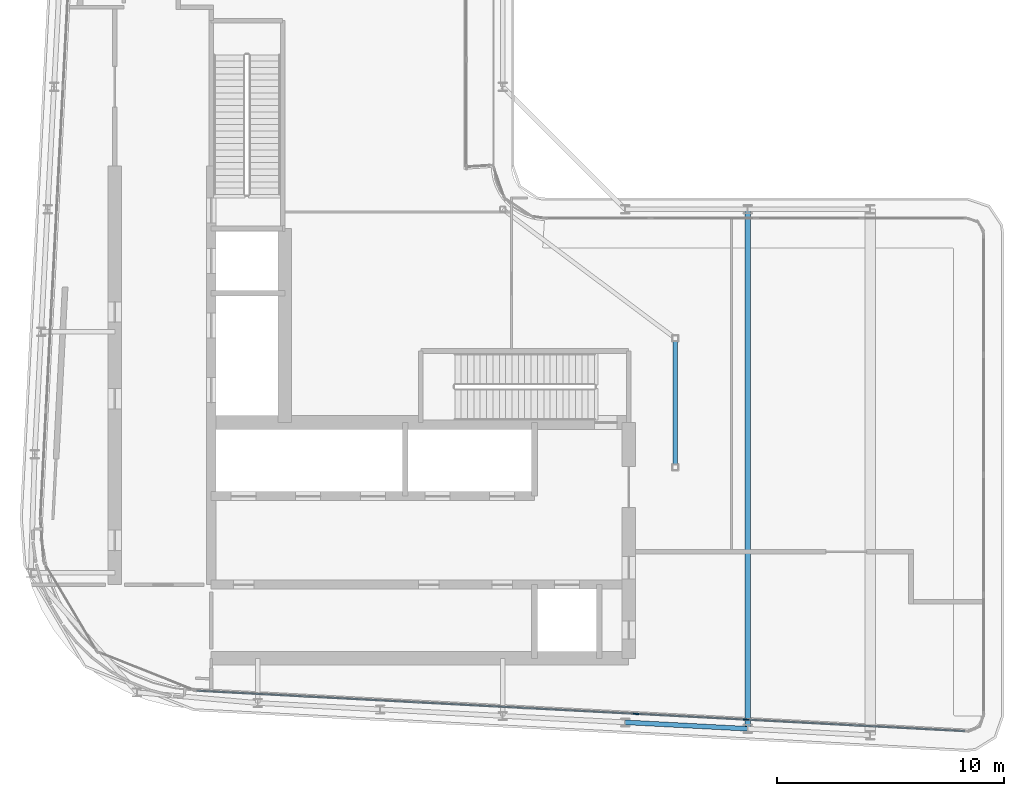
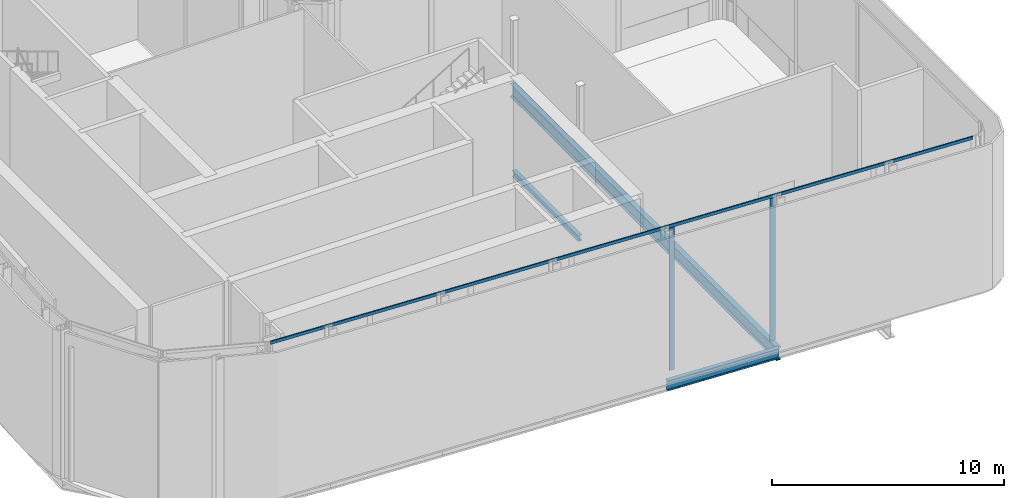
# One storey, part 6 of 28: 3 beams, 3 members, 1 element without a shape of its own.
"""IFC4 building model written with IfcOpenShell, lengths in metres."""

from ifc_helpers import new_model, si_unit, direction, frame, origin, origin_2d, place, context, subcontext, project, spatial, rectangle, i_section, extrude, material, layer, layer_set, material_profile, profile_set, type_object, element, aggregate, save


model = new_model("IFC4")

# Units and contexts
model_context = context("Model", 3, precision=1e-05, world=origin(), true_north=direction((0.0, 1.0)))
body_context = subcontext(model_context, "Body", "Model", "MODEL_VIEW")
ifc_project = project(units=[si_unit("LENGTHUNIT", "METRE"), si_unit("AREAUNIT", "SQUARE_METRE"), si_unit("VOLUMEUNIT", "CUBIC_METRE"), si_unit("PLANEANGLEUNIT", "RADIAN"), si_unit("MASSUNIT", "GRAM", prefix="KILO")], contexts=[model_context])

# Site, building, storey
site_placement = place(None, origin())
site = spatial("IfcSite", under=ifc_project, at=site_placement, CompositionType="ELEMENT")
building_placement = place(site_placement, origin())
building = spatial("IfcBuilding", under=site, at=building_placement, Name="Kheshtan School and Residences Tower", CompositionType="ELEMENT")
storey_placement = place(building_placement, frame((0.0, 0.0, 325.39990234375)))
storey = spatial("IfcBuildingStorey", under=building, at=storey_placement, Name="L77", CompositionType="ELEMENT", Elevation=325.39990234375)

# Beams
ifc_material_1 = material(Name="Steel ASTM A992 Grade 50", Category="steel")
ifc_material_profile_1 = material_profile(ifc_material_1, i_section(OverallWidth=0.202880859375, OverallDepth=0.302978515625, WebThickness=0.007568359375, FlangeThickness=0.01318359375, FilletRadius=0.009033203125, at=origin_2d()), Name="W310x60")
ifc_profile_set_1 = profile_set([ifc_material_profile_1], Name="Steel ASTM A992 Grade 50")
beam_type_1 = type_object("IfcBeamType", Name="Beam FB1 W310x60 ASTM A992 Grade 50", PredefinedType="BEAM", material=ifc_profile_set_1)
beam_1_placement = place(storey_placement, frame((55.199951171875, 34.23193359375, -0.301513671875), z_axis=(0.0, 1.0, 0.0), x_axis=(-1.0, 0.0, 0.0)))
element("IfcBeam", 1, at=beam_1_placement, inside=storey, type_object=beam_type_1, Name="Floor beam IC", PredefinedType="BEAM", context=body_context, shape_type="SweptSolid", body=[
    extrude(i_section(OverallWidth=0.202880859375, OverallDepth=0.302978515625, WebThickness=0.007568359375, FlangeThickness=0.01318359375, FilletRadius=0.009033203125, at=origin_2d()), origin(), (0.0, 0.0, 1.0), 5.68408203125),
])
ifc_material_profile_2 = material_profile(ifc_material_1, i_section(OverallWidth=0.2529296875, OverallDepth=0.677978515625, WebThickness=0.01171875, FlangeThickness=0.016357421875, FilletRadius=0.0146484375, at=origin_2d()), Name="W690x125")
ifc_profile_set_2 = profile_set([ifc_material_profile_2], Name="Steel ASTM A992 Grade 50")
beam_type_2 = type_object("IfcBeamType", Name="Beam FB6 W690x125 ASTM A992 Grade 50", PredefinedType="BEAM", material=ifc_profile_set_2)
beam_2_placement = place(storey_placement, frame((58.39990234375, 22.695068359375, -0.489013671875), z_axis=(0.0, 1.0, 0.0), x_axis=(-1.0, 0.0, 0.0)))
element("IfcBeam", 2, at=beam_2_placement, inside=storey, type_object=beam_type_2, Name="Floor beam C018", PredefinedType="BEAM", context=body_context, shape_type="SweptSolid", body=[
    extrude(i_section(OverallWidth=0.2529296875, OverallDepth=0.677978515625, WebThickness=0.01171875, FlangeThickness=0.016357421875, FilletRadius=0.0146484375, at=origin_2d()), origin(), (0.0, 0.0, 1.0), 22.905029296875),
])
ifc_material_profile_3 = material_profile(ifc_material_1, i_section(OverallWidth=0.208984375, OverallDepth=0.532958984375, WebThickness=0.01025390625, FlangeThickness=0.015625, FilletRadius=0.013916015625, at=origin_2d()), Name="W530x92")
ifc_profile_set_3 = profile_set([ifc_material_profile_3], Name="Steel ASTM A992 Grade 50")
beam_type_3 = type_object("IfcBeamType", Name="Beam SP3 W530x92 ASTM A992 Grade 50", PredefinedType="BEAM", material=ifc_profile_set_3)
beam_3_placement = place(storey_placement, frame((58.39990234375, 22.695068359375, -0.41650390625), z_axis=(-0.998610961136, 0.052689166816, 0.0), x_axis=(-0.052689166816, -0.998610961136, 0.0)))
element("IfcBeam", 3, at=beam_3_placement, inside=storey, type_object=beam_type_3, Name="Spandrel beam C018-C019", PredefinedType="BEAM", context=body_context, shape_type="SweptSolid", body=[
    extrude(i_section(OverallWidth=0.208984375, OverallDepth=0.532958984375, WebThickness=0.01025390625, FlangeThickness=0.015625, FilletRadius=0.013916015625, at=origin_2d()), origin(), (0.0, 0.0, 1.0), 5.407470703125),
])

# Curtain wall, members
ifc_material_2 = material(Name="Clear low-e glass in thermally broken aluminium frame", Category="aluminium")
ifc_layer = layer(ifc_material_2, 0.25)
ifc_layer_set = layer_set([ifc_layer], Name="Curtain wall CW-K")
curtain_wall_type = type_object("IfcCurtainWallType", Name="Curtain wall CW-K", PredefinedType="NOTDEFINED", material=ifc_layer_set)
curtain_wall_placement = place(storey_placement, origin())
curtain_wall = element("IfcCurtainWall", 4, at=curtain_wall_placement, inside=storey, type_object=curtain_wall_type, Name="Curtain wall CWK2b", PredefinedType="NOTDEFINED")
ifc_material_3 = material(Name="Thermally broken aluminium, dark bronze anodised", Category="aluminium")
ifc_material_profile_4 = material_profile(ifc_material_3, rectangle(XDim=0.06005859375, YDim=0.25, at=origin_2d()), Name="CW-K mullion 60x250")
ifc_profile_set_4 = profile_set([ifc_material_profile_4], Name="Thermally broken aluminium, dark bronze anodised")
member_type_1 = type_object("IfcMemberType", Name="CW-K mullion 60x250", PredefinedType="MULLION", material=ifc_profile_set_4)
member_1_placement = place(storey_placement, frame((58.326416015625, 23.099365234375, 0.0), z_axis=(0.0, 0.0, 1.0), x_axis=(-0.052588147164, -0.998616286057, 0.0)))
member_1 = element("IfcMember", 5, at=member_1_placement, type_object=member_type_1, Name="CWK2b mullion 3", PredefinedType="MULLION", context=body_context, shape_type="SweptSolid", body=[
    extrude(rectangle(XDim=0.06005859375, YDim=0.25, at=origin_2d()), origin(), (0.0, 0.0, 1.0), 7.489990234375),
])
member_2_placement = place(storey_placement, frame((53.473388671875, 23.354736328125, 0.0), z_axis=(0.0, 0.0, 1.0), x_axis=(-0.052588147164, -0.998616286057, 0.0)))
member_2 = element("IfcMember", 6, at=member_2_placement, type_object=member_type_1, Name="CWK2b mullion 4", PredefinedType="MULLION", context=body_context, shape_type="SweptSolid", body=[
    extrude(rectangle(XDim=0.06005859375, YDim=0.25, at=origin_2d()), origin(), (0.0, 0.0, 1.0), 7.489990234375),
])
ifc_material_profile_5 = material_profile(ifc_material_3, rectangle(XDim=0.06005859375, YDim=0.159912109375, at=origin_2d()), Name="CW-K transom 60x160")
ifc_profile_set_5 = profile_set([ifc_material_profile_5], Name="Thermally broken aluminium, dark bronze anodised")
member_type_2 = type_object("IfcMemberType", Name="CW-K transom 60x160", PredefinedType="USERDEFINED", material=ifc_profile_set_5)
member_3_placement = place(storey_placement, frame((67.972900390625, 22.59130859375, 7.570068359375), z_axis=(-0.998616257188, 0.05258869536, 0.0), x_axis=(-0.05258869536, -0.998616257188, 0.0)))
member_3 = element("IfcMember", 7, at=member_3_placement, type_object=member_type_2, Name="CWK2b transom 1", ObjectType="TRANSOM", PredefinedType="USERDEFINED", context=body_context, shape_type="SweptSolid", body=[
    extrude(rectangle(XDim=0.06005859375, YDim=0.159912109375, at=origin_2d()), origin(), (0.0, 0.0, 1.0), 33.899169921875),
])
aggregate(curtain_wall, [member_1, member_2, member_3])

save(model, "model.ifc")
